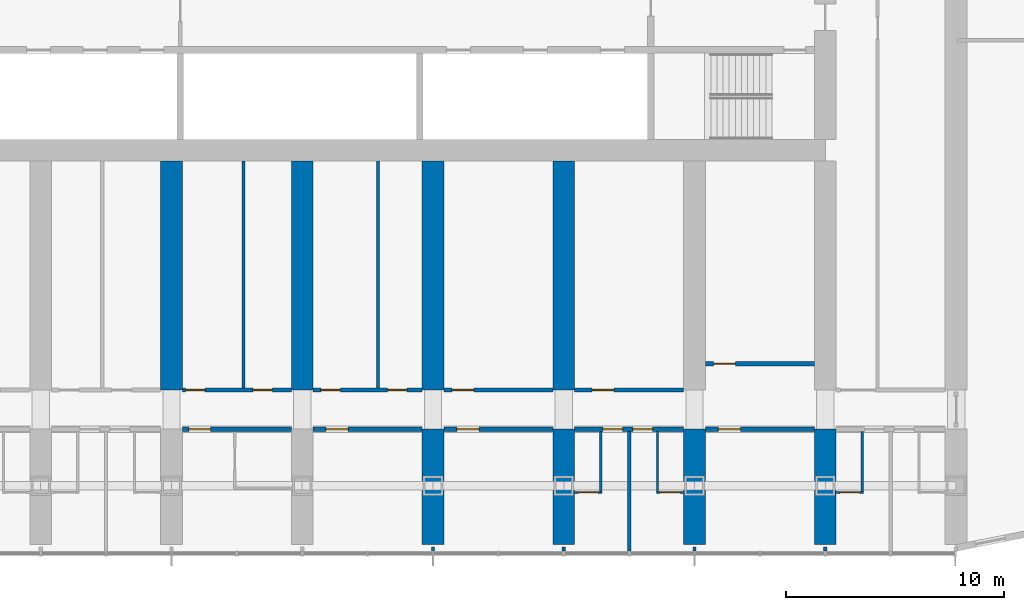
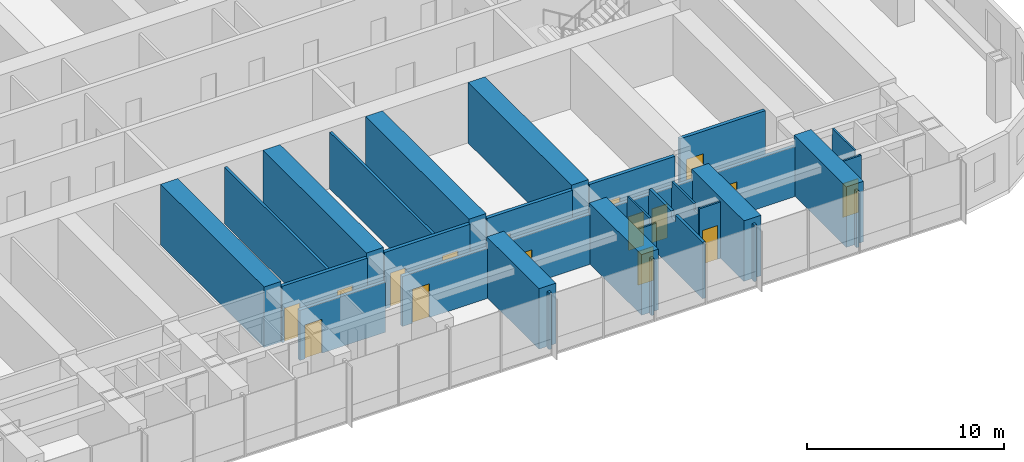
# One storey, part 12 of 23: 31 walls, 16 doors, 16 openings.
"""IFC4 building model written with IfcOpenShell, lengths in metres."""

from ifc_helpers import new_model, si_unit, direction, frame, frame_2d, origin, place, context, subcontext, project, spatial, polyline, rectangle, outline, extrude, material, layer, layer_set, type_object, element, fill, save


model = new_model("IFC4")

# Units and contexts
model_context = context("Model", 3, precision=1e-05, world=origin(), true_north=direction((0.0, 1.0)))
body_context = subcontext(model_context, "Body", "Model", "MODEL_VIEW")
ifc_project = project(units=[si_unit("LENGTHUNIT", "METRE"), si_unit("AREAUNIT", "SQUARE_METRE"), si_unit("VOLUMEUNIT", "CUBIC_METRE"), si_unit("PLANEANGLEUNIT", "RADIAN"), si_unit("MASSUNIT", "GRAM", prefix="KILO")], contexts=[model_context])

# Site, building, storey
site_placement = place(None, origin())
site = spatial("IfcSite", under=ifc_project, at=site_placement, CompositionType="ELEMENT")
building_placement = place(site_placement, origin())
building = spatial("IfcBuilding", under=site, at=building_placement, Name="Orbita Commons", CompositionType="ELEMENT")
storey_placement = place(building_placement, frame((0.0, 0.0, 42.699951171875)))
storey = spatial("IfcBuildingStorey", under=building, at=storey_placement, Name="L10", CompositionType="ELEMENT", Elevation=42.699951171875)

# Wall, opening, door
ifc_material_1 = material(Name="Concrete blockwork", Category="masonry")
ifc_layer_1 = layer(ifc_material_1, 0.199951171875)
ifc_layer_set_1 = layer_set([ifc_layer_1], Name="Concrete blockwork")
wall_type_1 = type_object("IfcWallType", Name="Corridor wall 200 blockwork", PredefinedType="SOLIDWALL", material=ifc_layer_set_1)
wall_1_placement = place(storey_placement, frame((36.5, 13.0, 0.0), z_axis=(0.0, 0.0, 1.0), x_axis=(1.0, 0.0, 0.0)))
wall_1 = element("IfcWall", 1, at=wall_1_placement, inside=storey, type_object=wall_type_1, Name="Corridor wall 200 blockwork L10", PredefinedType="SOLIDWALL", context=body_context, shape_type="SweptSolid", body=[
    extrude(outline(polyline([(0.0, 0.0), (5.0, 0.0), (5.0, 3.10009765625), (0.0, 3.10009765625), (0.0, 0.0)])), frame((0.0, 0.10009765625, 0.0), z_axis=(0.0, -1.0, 0.0), x_axis=(1.0, 0.0, 0.0)), (0.0, 0.0, 1.0), 0.199951171875),
])
opening_1_placement = place(wall_1_placement, frame((0.300048828125, 0.0, 0.0)))
opening_1 = element("IfcOpeningElement", 2, at=opening_1_placement, cuts=wall_1, Name="Opening D06", PredefinedType="OPENING", context=body_context, shape_type="SweptSolid", body=[
    extrude(rectangle(XDim=1.0, YDim=2.10009765625, at=frame_2d((0.5, 1.050048828125))), frame((0.0, 0.10986328125, 0.0), z_axis=(0.0, -1.0, 0.0), x_axis=(1.0, 0.0, 0.0)), (0.0, 0.0, 1.0), 0.219970703125),
])
ifc_material_2 = material(Name="Steel-faced fire door leaf", Category="steel")
door_type_1 = type_object("IfcDoorType", Name="Corridor door 20 min 1000x2100", OperationType="SINGLE_SWING_LEFT", PredefinedType="DOOR", material=ifc_material_2)
door_1_placement = place(opening_1_placement, origin())
door_1 = element("IfcDoor", 3, at=door_1_placement, inside=storey, type_object=door_type_1, Name="Accessible bedroom L10-S08 door", OperationType="SINGLE_SWING_LEFT", OverallHeight=2.10009765625, OverallWidth=1.0, PredefinedType="DOOR", context=body_context, shape_type="SweptSolid", body=[
    extrude(rectangle(XDim=1.0, YDim=2.10009765625, at=frame_2d((0.5, 1.050048828125))), frame((0.0, 0.02490234375, 0.0), z_axis=(0.0, -1.0, 0.0), x_axis=(1.0, 0.0, 0.0)), (0.0, 0.0, 1.0), 0.050048828125),
])
fill(opening_1, door_1)

wall_2_placement = place(storey_placement, frame((42.5, 13.0, 0.0), z_axis=(0.0, 0.0, 1.0), x_axis=(1.0, 0.0, 0.0)))
wall_2 = element("IfcWall", 4, at=wall_2_placement, inside=storey, type_object=wall_type_1, Name="Corridor wall 200 blockwork L10", PredefinedType="SOLIDWALL", context=body_context, shape_type="SweptSolid", body=[
    extrude(outline(polyline([(0.0, 0.0), (5.0, 0.0), (5.0, 3.10009765625), (0.0, 3.10009765625), (0.0, 0.0)])), frame((0.0, 0.10009765625, 0.0), z_axis=(0.0, -1.0, 0.0), x_axis=(1.0, 0.0, 0.0)), (0.0, 0.0, 1.0), 0.199951171875),
])
opening_2_placement = place(wall_2_placement, frame((0.60009765625, 0.0, 0.0)))
opening_2 = element("IfcOpeningElement", 5, at=opening_2_placement, cuts=wall_2, Name="Opening D06", PredefinedType="OPENING", context=body_context, shape_type="SweptSolid", body=[
    extrude(rectangle(XDim=1.0, YDim=2.10009765625, at=frame_2d((0.5, 1.050048828125))), frame((0.0, 0.10986328125, 0.0), z_axis=(0.0, -1.0, 0.0), x_axis=(1.0, 0.0, 0.0)), (0.0, 0.0, 1.0), 0.219970703125),
])
door_2_placement = place(opening_2_placement, origin())
door_2 = element("IfcDoor", 6, at=door_2_placement, inside=storey, type_object=door_type_1, Name="House study room L10-S10 door", OperationType="SINGLE_SWING_LEFT", OverallHeight=2.10009765625, OverallWidth=1.0, PredefinedType="DOOR", context=body_context, shape_type="SweptSolid", body=[
    extrude(rectangle(XDim=1.0, YDim=2.10009765625, at=frame_2d((0.5, 1.050048828125))), frame((0.0, 0.02490234375, 0.0), z_axis=(0.0, -1.0, 0.0), x_axis=(1.0, 0.0, 0.0)), (0.0, 0.0, 1.0), 0.050048828125),
])
fill(opening_2, door_2)

wall_3_placement = place(storey_placement, frame((48.5, 13.0, 0.0), z_axis=(0.0, 0.0, 1.0), x_axis=(1.0, 0.0, 0.0)))
wall_3 = element("IfcWall", 7, at=wall_3_placement, inside=storey, type_object=wall_type_1, Name="Corridor wall 200 blockwork L10", PredefinedType="SOLIDWALL", context=body_context, shape_type="SweptSolid", body=[
    extrude(outline(polyline([(0.0, 0.0), (5.0, 0.0), (5.0, 3.10009765625), (0.0, 3.10009765625), (0.0, 0.0)])), frame((0.0, 0.10009765625, 0.0), z_axis=(0.0, -1.0, 0.0), x_axis=(1.0, 0.0, 0.0)), (0.0, 0.0, 1.0), 0.199951171875),
])
opening_3_placement = place(wall_3_placement, frame((0.60009765625, 0.0, 0.0)))
opening_3 = element("IfcOpeningElement", 8, at=opening_3_placement, cuts=wall_3, Name="Opening D06", PredefinedType="OPENING", context=body_context, shape_type="SweptSolid", body=[
    extrude(rectangle(XDim=1.0, YDim=2.10009765625, at=frame_2d((0.5, 1.050048828125))), frame((0.0, 0.10986328125, 0.0), z_axis=(0.0, -1.0, 0.0), x_axis=(1.0, 0.0, 0.0)), (0.0, 0.0, 1.0), 0.219970703125),
])
door_3_placement = place(opening_3_placement, origin())
door_3 = element("IfcDoor", 9, at=door_3_placement, inside=storey, type_object=door_type_1, Name="House kitchen-diner L10-S12 door", OperationType="SINGLE_SWING_LEFT", OverallHeight=2.10009765625, OverallWidth=1.0, PredefinedType="DOOR", context=body_context, shape_type="SweptSolid", body=[
    extrude(rectangle(XDim=1.0, YDim=2.10009765625, at=frame_2d((0.5, 1.050048828125))), frame((0.0, 0.02490234375, 0.0), z_axis=(0.0, -1.0, 0.0), x_axis=(1.0, 0.0, 0.0)), (0.0, 0.0, 1.0), 0.050048828125),
])
fill(opening_3, door_3)

# Wall, openings, doors
wall_4_placement = place(storey_placement, frame((54.5, 13.0, 0.0), z_axis=(0.0, 0.0, 1.0), x_axis=(1.0, 0.0, 0.0)))
wall_4 = element("IfcWall", 10, at=wall_4_placement, inside=storey, type_object=wall_type_1, Name="Corridor wall 200 blockwork L10", PredefinedType="SOLIDWALL", context=body_context, shape_type="SweptSolid", body=[
    extrude(outline(polyline([(0.0, 0.0), (5.0, 0.0), (5.0, 3.10009765625), (0.0, 3.10009765625), (0.0, 0.0)])), frame((0.0, 0.10009765625, 0.0), z_axis=(0.0, -1.0, 0.0), x_axis=(1.0, 0.0, 0.0)), (0.0, 0.0, 1.0), 0.199951171875),
])
opening_4_placement = place(wall_4_placement, frame((1.300048828125, 0.0, 0.0)))
opening_4 = element("IfcOpeningElement", 11, at=opening_4_placement, cuts=wall_4, Name="Opening D11", PredefinedType="OPENING", context=body_context, shape_type="SweptSolid", body=[
    extrude(rectangle(XDim=0.89990234375, YDim=2.10009765625, at=frame_2d((0.449951171875, 1.050048828125))), frame((0.0, 0.10986328125, 0.0), z_axis=(0.0, -1.0, 0.0), x_axis=(1.0, 0.0, 0.0)), (0.0, 0.0, 1.0), 0.219970703125),
])
opening_5_placement = place(wall_4_placement, frame((2.675048828125, 0.0, 0.0)))
opening_5 = element("IfcOpeningElement", 12, at=opening_5_placement, cuts=wall_4, Name="Opening D11", PredefinedType="OPENING", context=body_context, shape_type="SweptSolid", body=[
    extrude(rectangle(XDim=0.89990234375, YDim=2.10009765625, at=frame_2d((0.449951171875, 1.050048828125))), frame((0.0, 0.10986328125, 0.0), z_axis=(0.0, -1.0, 0.0), x_axis=(1.0, 0.0, 0.0)), (0.0, 0.0, 1.0), 0.219970703125),
])
ifc_material_3 = material(Name="Steel-faced fire door leaf", Category="steel")
door_type_2 = type_object("IfcDoorType", Name="Corridor door 20 min 900x2100", OperationType="SINGLE_SWING_LEFT", PredefinedType="DOOR", material=ifc_material_3)
door_4_placement = place(opening_4_placement, origin())
door_4 = element("IfcDoor", 13, at=door_4_placement, inside=storey, type_object=door_type_2, Name="House bedroom L10-S14 door", OperationType="SINGLE_SWING_LEFT", OverallHeight=2.10009765625, OverallWidth=0.89990234375, PredefinedType="DOOR", context=body_context, shape_type="SweptSolid", body=[
    extrude(rectangle(XDim=0.89990234375, YDim=2.10009765625, at=frame_2d((0.449951171875, 1.050048828125))), frame((0.0, 0.02490234375, 0.0), z_axis=(0.0, -1.0, 0.0), x_axis=(1.0, 0.0, 0.0)), (0.0, 0.0, 1.0), 0.050048828125),
])
fill(opening_4, door_4)
door_5_placement = place(opening_5_placement, origin())
door_5 = element("IfcDoor", 14, at=door_5_placement, inside=storey, type_object=door_type_2, Name="House bedroom L10-S15 door", OperationType="SINGLE_SWING_LEFT", OverallHeight=2.10009765625, OverallWidth=0.89990234375, PredefinedType="DOOR", context=body_context, shape_type="SweptSolid", body=[
    extrude(rectangle(XDim=0.89990234375, YDim=2.10009765625, at=frame_2d((0.449951171875, 1.050048828125))), frame((0.0, 0.02490234375, 0.0), z_axis=(0.0, -1.0, 0.0), x_axis=(1.0, 0.0, 0.0)), (0.0, 0.0, 1.0), 0.050048828125),
])
fill(opening_5, door_5)

# Wall, opening, door
wall_5_placement = place(storey_placement, frame((60.5, 13.0, 0.0), z_axis=(0.0, 0.0, 1.0), x_axis=(1.0, 0.0, 0.0)))
wall_5 = element("IfcWall", 15, at=wall_5_placement, inside=storey, type_object=wall_type_1, Name="Corridor wall 200 blockwork L10", PredefinedType="SOLIDWALL", context=body_context, shape_type="SweptSolid", body=[
    extrude(outline(polyline([(0.0, 0.0), (5.0, 0.0), (5.0, 3.10009765625), (0.0, 3.10009765625), (0.0, 0.0)])), frame((0.0, 0.10009765625, 0.0), z_axis=(0.0, -1.0, 0.0), x_axis=(1.0, 0.0, 0.0)), (0.0, 0.0, 1.0), 0.199951171875),
])
opening_6_placement = place(wall_5_placement, frame((0.60009765625, 0.0, 0.0)))
opening_6 = element("IfcOpeningElement", 16, at=opening_6_placement, cuts=wall_5, Name="Opening D06", PredefinedType="OPENING", context=body_context, shape_type="SweptSolid", body=[
    extrude(rectangle(XDim=1.0, YDim=2.10009765625, at=frame_2d((0.5, 1.050048828125))), frame((0.0, 0.10986328125, 0.0), z_axis=(0.0, -1.0, 0.0), x_axis=(1.0, 0.0, 0.0)), (0.0, 0.0, 1.0), 0.219970703125),
])
door_6_placement = place(opening_6_placement, origin())
door_6 = element("IfcDoor", 17, at=door_6_placement, inside=storey, type_object=door_type_1, Name="House common room L10-S16 door", OperationType="SINGLE_SWING_LEFT", OverallHeight=2.10009765625, OverallWidth=1.0, PredefinedType="DOOR", context=body_context, shape_type="SweptSolid", body=[
    extrude(rectangle(XDim=1.0, YDim=2.10009765625, at=frame_2d((0.5, 1.050048828125))), frame((0.0, 0.02490234375, 0.0), z_axis=(0.0, -1.0, 0.0), x_axis=(1.0, 0.0, 0.0)), (0.0, 0.0, 1.0), 0.050048828125),
])
fill(opening_6, door_6)

# Wall, openings, doors
ifc_material_4 = material(Name="Hollow concrete block 200", Category="concrete")
ifc_layer_2 = layer(ifc_material_4, 0.199951171875)
ifc_layer_set_2 = layer_set([ifc_layer_2], Name="Hollow concrete block 200")
wall_type_2 = type_object("IfcWallType", Name="Corridor wall 200 hollow concrete block", PredefinedType="SOLIDWALL", material=ifc_layer_set_2)
wall_6_placement = place(storey_placement, frame((36.5, 14.800048828125, 0.0), z_axis=(0.0, 0.0, 1.0), x_axis=(1.0, 0.0, 0.0)))
wall_6 = element("IfcWall", 18, at=wall_6_placement, inside=storey, type_object=wall_type_2, Name="Corridor wall 200 hollow concrete block L10", PredefinedType="SOLIDWALL", context=body_context, shape_type="SweptSolid", body=[
    extrude(rectangle(XDim=5.0, YDim=0.199951171875, at=frame_2d((2.5, 0.0))), origin(), (0.0, 0.0, 1.0), 3.5),
])
opening_7_placement = place(wall_6_placement, frame((0.14990234375, 0.0, 0.0)))
opening_7 = element("IfcOpeningElement", 19, at=opening_7_placement, cuts=wall_6, Name="Opening D11", PredefinedType="OPENING", context=body_context, shape_type="SweptSolid", body=[
    extrude(rectangle(XDim=0.89990234375, YDim=2.10009765625, at=frame_2d((0.449951171875, 1.050048828125))), frame((0.0, 0.10986328125, 0.0), z_axis=(0.0, -1.0, 0.0), x_axis=(1.0, 0.0, 0.0)), (0.0, 0.0, 1.0), 0.219970703125),
])
opening_8_placement = place(wall_6_placement, frame((3.235107421875, 0.0, 0.0)))
opening_8 = element("IfcOpeningElement", 20, at=opening_8_placement, cuts=wall_6, Name="Opening D11", PredefinedType="OPENING", context=body_context, shape_type="SweptSolid", body=[
    extrude(rectangle(XDim=0.89990234375, YDim=2.10009765625, at=frame_2d((0.449951171875, 1.050048828125))), frame((0.0, 0.10986328125, 0.0), z_axis=(0.0, -1.0, 0.0), x_axis=(1.0, 0.0, 0.0)), (0.0, 0.0, 1.0), 0.219970703125),
])
door_7_placement = place(opening_7_placement, origin())
door_7 = element("IfcDoor", 21, at=door_7_placement, inside=storey, type_object=door_type_2, Name="Group meeting room L10-BDS36 door", OperationType="SINGLE_SWING_LEFT", OverallHeight=2.10009765625, OverallWidth=0.89990234375, PredefinedType="DOOR", context=body_context, shape_type="SweptSolid", body=[
    extrude(rectangle(XDim=0.89990234375, YDim=2.10009765625, at=frame_2d((0.449951171875, 1.050048828125))), frame((0.0, 0.02490234375, 0.0), z_axis=(0.0, -1.0, 0.0), x_axis=(1.0, 0.0, 0.0)), (0.0, 0.0, 1.0), 0.050048828125),
])
fill(opening_7, door_7)
door_8_placement = place(opening_8_placement, origin())
door_8 = element("IfcDoor", 22, at=door_8_placement, inside=storey, type_object=door_type_2, Name="Water heater cupboard L10-BDS36n door", OperationType="SINGLE_SWING_LEFT", OverallHeight=2.10009765625, OverallWidth=0.89990234375, PredefinedType="DOOR", context=body_context, shape_type="SweptSolid", body=[
    extrude(rectangle(XDim=0.89990234375, YDim=2.10009765625, at=frame_2d((0.449951171875, 1.050048828125))), frame((0.0, 0.02490234375, 0.0), z_axis=(0.0, -1.0, 0.0), x_axis=(1.0, 0.0, 0.0)), (0.0, 0.0, 1.0), 0.050048828125),
])
fill(opening_8, door_8)

wall_7_placement = place(storey_placement, frame((42.5, 14.800048828125, 0.0), z_axis=(0.0, 0.0, 1.0), x_axis=(1.0, 0.0, 0.0)))
wall_7 = element("IfcWall", 23, at=wall_7_placement, inside=storey, type_object=wall_type_2, Name="Corridor wall 200 hollow concrete block L10", PredefinedType="SOLIDWALL", context=body_context, shape_type="SweptSolid", body=[
    extrude(rectangle(XDim=5.0, YDim=0.199951171875, at=frame_2d((2.5, 0.0))), origin(), (0.0, 0.0, 1.0), 3.5),
])
opening_9_placement = place(wall_7_placement, frame((0.35009765625, 0.0, 0.0)))
opening_9 = element("IfcOpeningElement", 24, at=opening_9_placement, cuts=wall_7, Name="Opening D11", PredefinedType="OPENING", context=body_context, shape_type="SweptSolid", body=[
    extrude(rectangle(XDim=0.89990234375, YDim=2.10009765625, at=frame_2d((0.449951171875, 1.050048828125))), frame((0.0, 0.10986328125, 0.0), z_axis=(0.0, -1.0, 0.0), x_axis=(1.0, 0.0, 0.0)), (0.0, 0.0, 1.0), 0.219970703125),
])
opening_10_placement = place(wall_7_placement, frame((3.405029296875, 0.0, 0.0)))
opening_10 = element("IfcOpeningElement", 25, at=opening_10_placement, cuts=wall_7, Name="Opening D11", PredefinedType="OPENING", context=body_context, shape_type="SweptSolid", body=[
    extrude(rectangle(XDim=0.89990234375, YDim=2.10009765625, at=frame_2d((0.449951171875, 1.050048828125))), frame((0.0, 0.10986328125, 0.0), z_axis=(0.0, -1.0, 0.0), x_axis=(1.0, 0.0, 0.0)), (0.0, 0.0, 1.0), 0.219970703125),
])
door_9_placement = place(opening_9_placement, origin())
door_9 = element("IfcDoor", 26, at=door_9_placement, inside=storey, type_object=door_type_2, Name="Equipment store L10-BDS42n door", OperationType="SINGLE_SWING_LEFT", OverallHeight=2.10009765625, OverallWidth=0.89990234375, PredefinedType="DOOR", context=body_context, shape_type="SweptSolid", body=[
    extrude(rectangle(XDim=0.89990234375, YDim=2.10009765625, at=frame_2d((0.449951171875, 1.050048828125))), frame((0.0, 0.02490234375, 0.0), z_axis=(0.0, -1.0, 0.0), x_axis=(1.0, 0.0, 0.0)), (0.0, 0.0, 1.0), 0.050048828125),
])
fill(opening_9, door_9)
door_10_placement = place(opening_10_placement, origin())
door_10 = element("IfcDoor", 27, at=door_10_placement, inside=storey, type_object=door_type_2, Name="Linen store L10-BDS42 door", OperationType="SINGLE_SWING_LEFT", OverallHeight=2.10009765625, OverallWidth=0.89990234375, PredefinedType="DOOR", context=body_context, shape_type="SweptSolid", body=[
    extrude(rectangle(XDim=0.89990234375, YDim=2.10009765625, at=frame_2d((0.449951171875, 1.050048828125))), frame((0.0, 0.02490234375, 0.0), z_axis=(0.0, -1.0, 0.0), x_axis=(1.0, 0.0, 0.0)), (0.0, 0.0, 1.0), 0.050048828125),
])
fill(opening_10, door_10)

# Wall, opening, door
wall_8_placement = place(storey_placement, frame((48.5, 14.800048828125, 0.0), z_axis=(0.0, 0.0, 1.0), x_axis=(1.0, 0.0, 0.0)))
wall_8 = element("IfcWall", 28, at=wall_8_placement, inside=storey, type_object=wall_type_2, Name="Corridor wall 200 hollow concrete block L10", PredefinedType="SOLIDWALL", context=body_context, shape_type="SweptSolid", body=[
    extrude(rectangle(XDim=5.0, YDim=0.199951171875, at=frame_2d((2.5, 0.0))), origin(), (0.0, 0.0, 1.0), 3.5),
])
opening_11_placement = place(wall_8_placement, frame((0.375, 0.0, 0.0)))
opening_11 = element("IfcOpeningElement", 29, at=opening_11_placement, cuts=wall_8, Name="Opening D06", PredefinedType="OPENING", context=body_context, shape_type="SweptSolid", body=[
    extrude(rectangle(XDim=1.0, YDim=2.10009765625, at=frame_2d((0.5, 1.050048828125))), frame((0.0, 0.10986328125, 0.0), z_axis=(0.0, -1.0, 0.0), x_axis=(1.0, 0.0, 0.0)), (0.0, 0.0, 1.0), 0.219970703125),
])
door_11_placement = place(opening_11_placement, origin())
door_11 = element("IfcDoor", 30, at=door_11_placement, inside=storey, type_object=door_type_1, Name="Drying room L10-BDS48 door", OperationType="SINGLE_SWING_LEFT", OverallHeight=2.10009765625, OverallWidth=1.0, PredefinedType="DOOR", context=body_context, shape_type="SweptSolid", body=[
    extrude(rectangle(XDim=1.0, YDim=2.10009765625, at=frame_2d((0.5, 1.050048828125))), frame((0.0, 0.02490234375, 0.0), z_axis=(0.0, -1.0, 0.0), x_axis=(1.0, 0.0, 0.0)), (0.0, 0.0, 1.0), 0.050048828125),
])
fill(opening_11, door_11)

wall_9_placement = place(storey_placement, frame((54.5, 14.800048828125, 0.0), z_axis=(0.0, 0.0, 1.0), x_axis=(1.0, 0.0, 0.0)))
wall_9 = element("IfcWall", 31, at=wall_9_placement, inside=storey, type_object=wall_type_2, Name="Corridor wall 200 hollow concrete block L10", PredefinedType="SOLIDWALL", context=body_context, shape_type="SweptSolid", body=[
    extrude(rectangle(XDim=5.0, YDim=0.199951171875, at=frame_2d((2.5, 0.0))), origin(), (0.0, 0.0, 1.0), 3.5),
])
opening_12_placement = place(wall_9_placement, frame((0.800048828125, 0.0, 0.0)))
opening_12 = element("IfcOpeningElement", 32, at=opening_12_placement, cuts=wall_9, Name="Opening D06", PredefinedType="OPENING", context=body_context, shape_type="SweptSolid", body=[
    extrude(rectangle(XDim=1.0, YDim=2.10009765625, at=frame_2d((0.5, 1.050048828125))), frame((0.0, 0.10986328125, 0.0), z_axis=(0.0, -1.0, 0.0), x_axis=(1.0, 0.0, 0.0)), (0.0, 0.0, 1.0), 0.219970703125),
])
door_12_placement = place(opening_12_placement, origin())
door_12 = element("IfcDoor", 33, at=door_12_placement, inside=storey, type_object=door_type_1, Name="Ventilation plant room north L10-BDS54 door", OperationType="SINGLE_SWING_LEFT", OverallHeight=2.10009765625, OverallWidth=1.0, PredefinedType="DOOR", context=body_context, shape_type="SweptSolid", body=[
    extrude(rectangle(XDim=1.0, YDim=2.10009765625, at=frame_2d((0.5, 1.050048828125))), frame((0.0, 0.02490234375, 0.0), z_axis=(0.0, -1.0, 0.0), x_axis=(1.0, 0.0, 0.0)), (0.0, 0.0, 1.0), 0.050048828125),
])
fill(opening_12, door_12)

wall_10_placement = place(storey_placement, frame((60.5, 16.0, 0.0), z_axis=(0.0, 0.0, 1.0), x_axis=(1.0, 0.0, 0.0)))
wall_10 = element("IfcWall", 34, at=wall_10_placement, inside=storey, type_object=wall_type_2, Name="Corridor wall 200 hollow concrete block L10", PredefinedType="SOLIDWALL", context=body_context, shape_type="SweptSolid", body=[
    extrude(rectangle(XDim=5.0, YDim=0.199951171875, at=frame_2d((2.5, 0.0))), origin(), (0.0, 0.0, 1.0), 3.5),
])
opening_13_placement = place(wall_10_placement, frame((0.375, 0.0, 0.0)))
opening_13 = element("IfcOpeningElement", 35, at=opening_13_placement, cuts=wall_10, Name="Opening D06", PredefinedType="OPENING", context=body_context, shape_type="SweptSolid", body=[
    extrude(rectangle(XDim=1.0, YDim=2.10009765625, at=frame_2d((0.5, 1.050048828125))), frame((0.0, 0.10986328125, 0.0), z_axis=(0.0, -1.0, 0.0), x_axis=(1.0, 0.0, 0.0)), (0.0, 0.0, 1.0), 0.219970703125),
])
door_13_placement = place(opening_13_placement, origin())
door_13 = element("IfcDoor", 36, at=door_13_placement, inside=storey, type_object=door_type_1, Name="Electrical and data room L10-BDS60 door", OperationType="SINGLE_SWING_LEFT", OverallHeight=2.10009765625, OverallWidth=1.0, PredefinedType="DOOR", context=body_context, shape_type="SweptSolid", body=[
    extrude(rectangle(XDim=1.0, YDim=2.10009765625, at=frame_2d((0.5, 1.050048828125))), frame((0.0, 0.02490234375, 0.0), z_axis=(0.0, -1.0, 0.0), x_axis=(1.0, 0.0, 0.0)), (0.0, 0.0, 1.0), 0.050048828125),
])
fill(opening_13, door_13)

# Walls
ifc_material_5 = material(Name="Concrete C50/60", Category="concrete")
ifc_layer_3 = layer(ifc_material_5, 1.0)
ifc_layer_set_3 = layer_set([ifc_layer_3], Name="Concrete C50/60")
wall_type_3 = type_object("IfcWallType", Name="Cross wall 1000 C50/60", PredefinedType="SHEAR", material=ifc_layer_set_3)
for number, where, z_axis, x_axis, name in (
    (37, (36.0, 14.800048828125, 0.0), (0.0, 0.0, 1.0), (0.0, 1.0, 0.0), "Cross wall 7 south inner L10"),
    (38, (42.0, 14.800048828125, 0.0), (0.0, 0.0, 1.0), (0.0, 1.0, 0.0), "Cross wall 8 south inner L10"),
):
    element("IfcWall", number, at=place(storey_placement, frame(where, z_axis=z_axis, x_axis=x_axis)), inside=storey, type_object=wall_type_3, Name=name, PredefinedType="SHEAR", context=body_context, shape_type="SweptSolid", body=[
        extrude(rectangle(XDim=10.5, YDim=1.0, at=frame_2d((5.25, 0.0))), origin(), (0.0, 0.0, 1.0), 3.75),
    ])
wall_11_placement = place(storey_placement, frame((48.0, 7.699951171875, 0.0), z_axis=(0.0, 0.0, 1.0), x_axis=(0.0, 1.0, 0.0)))
element("IfcWall", 39, at=wall_11_placement, inside=storey, type_object=wall_type_3, Name="Cross wall 9 south outer L10", PredefinedType="SHEAR", context=body_context, shape_type="SweptSolid", body=[
    extrude(rectangle(XDim=5.300048828125, YDim=1.0, at=frame_2d((2.64990234375, 0.0))), origin(), (0.0, 0.0, 1.0), 3.75),
])
wall_12_placement = place(storey_placement, frame((48.0, 14.800048828125, 0.0), z_axis=(0.0, 0.0, 1.0), x_axis=(0.0, 1.0, 0.0)))
element("IfcWall", 40, at=wall_12_placement, inside=storey, type_object=wall_type_3, Name="Cross wall 9 south inner L10", PredefinedType="SHEAR", context=body_context, shape_type="SweptSolid", body=[
    extrude(rectangle(XDim=10.5, YDim=1.0, at=frame_2d((5.25, 0.0))), origin(), (0.0, 0.0, 1.0), 3.75),
])
wall_13_placement = place(storey_placement, frame((54.0, 7.699951171875, 0.0), z_axis=(0.0, 0.0, 1.0), x_axis=(0.0, 1.0, 0.0)))
element("IfcWall", 41, at=wall_13_placement, inside=storey, type_object=wall_type_3, Name="Cross wall 10 south outer L10", PredefinedType="SHEAR", context=body_context, shape_type="SweptSolid", body=[
    extrude(rectangle(XDim=5.300048828125, YDim=1.0, at=frame_2d((2.64990234375, 0.0))), origin(), (0.0, 0.0, 1.0), 3.75),
])
wall_14_placement = place(storey_placement, frame((54.0, 14.800048828125, 0.0), z_axis=(0.0, 0.0, 1.0), x_axis=(0.0, 1.0, 0.0)))
element("IfcWall", 42, at=wall_14_placement, inside=storey, type_object=wall_type_3, Name="Cross wall 10 south inner L10", PredefinedType="SHEAR", context=body_context, shape_type="SweptSolid", body=[
    extrude(rectangle(XDim=10.5, YDim=1.0, at=frame_2d((5.25, 0.0))), origin(), (0.0, 0.0, 1.0), 3.75),
])
for number, where, z_axis, x_axis, name in (
    (43, (60.0, 7.699951171875, 0.0), (0.0, 0.0, 1.0), (0.0, 1.0, 0.0), "Cross wall 11 south outer L10"),
    (44, (66.0, 7.699951171875, 0.0), (0.0, 0.0, 1.0), (0.0, 1.0, 0.0), "Cross wall 12 south outer L10"),
):
    element("IfcWall", number, at=place(storey_placement, frame(where, z_axis=z_axis, x_axis=x_axis)), inside=storey, type_object=wall_type_3, Name=name, PredefinedType="SHEAR", context=body_context, shape_type="SweptSolid", body=[
        extrude(rectangle(XDim=5.300048828125, YDim=1.0, at=frame_2d((2.64990234375, 0.0))), origin(), (0.0, 0.0, 1.0), 3.75),
    ])

# Wall, opening, door
ifc_material_6 = material(Name="Moisture-resistant plasterboard on steel studs", Category="steel")
ifc_layer_4 = layer(ifc_material_6, 0.10009765625)
ifc_layer_set_4 = layer_set([ifc_layer_4], Name="Moisture-resistant plasterboard on steel studs")
wall_type_4 = type_object("IfcWallType", Name="En-suite partition 100", PredefinedType="PARTITIONING", material=ifc_layer_set_4)
wall_15_placement = place(storey_placement, frame((55.75, 10.10009765625, 0.0), z_axis=(0.0, 0.0, 1.0), x_axis=(-1.0, 0.0, 0.0)))
wall_15 = element("IfcWall", 45, at=wall_15_placement, inside=storey, type_object=wall_type_4, Name="En-suite partition 100 L10", PredefinedType="PARTITIONING", context=body_context, shape_type="SweptSolid", body=[
    extrude(rectangle(XDim=1.300048828125, YDim=0.10009765625, at=frame_2d((0.64990234375, 0.0))), origin(), (0.0, 0.0, 1.0), 3.5),
])
opening_14_placement = place(wall_15_placement, frame((0.175048828125, 0.0, 0.0)))
opening_14 = element("IfcOpeningElement", 46, at=opening_14_placement, cuts=wall_15, Name="Opening D09", PredefinedType="OPENING", context=body_context, shape_type="SweptSolid", body=[
    extrude(rectangle(XDim=0.89990234375, YDim=2.10009765625, at=frame_2d((0.449951171875, 1.050048828125))), frame((0.0, 0.06005859375, 0.0), z_axis=(0.0, -1.0, 0.0), x_axis=(1.0, 0.0, 0.0)), (0.0, 0.0, 1.0), 0.1201171875),
])
ifc_material_7 = material(Name="Laminated timber door leaf", Category="wood")
door_type_3 = type_object("IfcDoorType", Name="En-suite door 900x2100", OperationType="SINGLE_SWING_RIGHT", PredefinedType="DOOR", material=ifc_material_7)
door_14_placement = place(opening_14_placement, origin())
door_14 = element("IfcDoor", 47, at=door_14_placement, inside=storey, type_object=door_type_3, Name="En-suite L10-S14 door", OperationType="SINGLE_SWING_RIGHT", OverallHeight=2.10009765625, OverallWidth=0.89990234375, PredefinedType="DOOR", context=body_context, shape_type="SweptSolid", body=[
    extrude(rectangle(XDim=0.89990234375, YDim=2.10009765625, at=frame_2d((0.449951171875, 1.050048828125))), frame((0.0, 0.02490234375, 0.0), z_axis=(0.0, -1.0, 0.0), x_axis=(1.0, 0.0, 0.0)), (0.0, 0.0, 1.0), 0.050048828125),
])
fill(opening_14, door_14)

# Wall
wall_16_placement = place(storey_placement, frame((55.699951171875, 10.14990234375, 0.0), z_axis=(0.0, 0.0, 1.0), x_axis=(0.0, 1.0, 0.0)))
element("IfcWall", 48, at=wall_16_placement, inside=storey, type_object=wall_type_4, Name="En-suite partition 100 L10", PredefinedType="PARTITIONING", context=body_context, shape_type="SweptSolid", body=[
    extrude(outline(polyline([(0.0, 0.0), (2.75, 0.0), (2.75, 3.10009765625), (2.701904296875, 3.10009765625), (2.699951171875, 3.5), (0.451904296875, 3.5), (0.449951171875, 3.10009765625), (0.052001953125, 3.10009765625), (0.050048828125, 3.5), (0.0, 3.5), (0.0, 0.0)])), frame((0.0, 0.050048828125, 0.0), z_axis=(0.0, -1.0, 0.0), x_axis=(1.0, 0.0, 0.0)), (0.0, 0.0, 1.0), 0.10009765625),
])

# Wall, opening, door
wall_17_placement = place(storey_placement, frame((59.550048828125, 10.10009765625, 0.0), z_axis=(0.0, 0.0, 1.0), x_axis=(-1.0, 0.0, 0.0)))
wall_17 = element("IfcWall", 49, at=wall_17_placement, inside=storey, type_object=wall_type_4, Name="En-suite partition 100 L10", PredefinedType="PARTITIONING", context=body_context, shape_type="SweptSolid", body=[
    extrude(rectangle(XDim=1.300048828125, YDim=0.10009765625, at=frame_2d((0.64990234375, 0.0))), origin(), (0.0, 0.0, 1.0), 3.5),
])
opening_15_placement = place(wall_17_placement, frame((0.22509765625, 0.0, 0.0)))
opening_15 = element("IfcOpeningElement", 50, at=opening_15_placement, cuts=wall_17, Name="Opening D09", PredefinedType="OPENING", context=body_context, shape_type="SweptSolid", body=[
    extrude(rectangle(XDim=0.89990234375, YDim=2.10009765625, at=frame_2d((0.449951171875, 1.050048828125))), frame((0.0, 0.06005859375, 0.0), z_axis=(0.0, -1.0, 0.0), x_axis=(1.0, 0.0, 0.0)), (0.0, 0.0, 1.0), 0.1201171875),
])
door_15_placement = place(opening_15_placement, origin())
door_15 = element("IfcDoor", 51, at=door_15_placement, inside=storey, type_object=door_type_3, Name="En-suite L10-S15 door", OperationType="SINGLE_SWING_RIGHT", OverallHeight=2.10009765625, OverallWidth=0.89990234375, PredefinedType="DOOR", context=body_context, shape_type="SweptSolid", body=[
    extrude(rectangle(XDim=0.89990234375, YDim=2.10009765625, at=frame_2d((0.449951171875, 1.050048828125))), frame((0.0, 0.02490234375, 0.0), z_axis=(0.0, -1.0, 0.0), x_axis=(1.0, 0.0, 0.0)), (0.0, 0.0, 1.0), 0.050048828125),
])
fill(opening_15, door_15)

# Wall
wall_18_placement = place(storey_placement, frame((58.300048828125, 10.14990234375, 0.0), z_axis=(0.0, 0.0, 1.0), x_axis=(0.0, 1.0, 0.0)))
element("IfcWall", 52, at=wall_18_placement, inside=storey, type_object=wall_type_4, Name="En-suite partition 100 L10", PredefinedType="PARTITIONING", context=body_context, shape_type="SweptSolid", body=[
    extrude(outline(polyline([(0.0, 0.0), (2.75, 0.0), (2.75, 3.10009765625), (2.701904296875, 3.10009765625), (2.699951171875, 3.5), (0.451904296875, 3.5), (0.449951171875, 3.10009765625), (0.052001953125, 3.10009765625), (0.050048828125, 3.5), (0.0, 3.5), (0.0, 0.0)])), frame((0.0, 0.050048828125, 0.0), z_axis=(0.0, -1.0, 0.0), x_axis=(1.0, 0.0, 0.0)), (0.0, 0.0, 1.0), 0.10009765625),
])

# Wall, opening, door
wall_19_placement = place(storey_placement, frame((67.75, 10.10009765625, 0.0), z_axis=(0.0, 0.0, 1.0), x_axis=(-1.0, 0.0, 0.0)))
wall_19 = element("IfcWall", 53, at=wall_19_placement, inside=storey, type_object=wall_type_4, Name="En-suite partition 100 L10", PredefinedType="PARTITIONING", context=body_context, shape_type="SweptSolid", body=[
    extrude(rectangle(XDim=1.300048828125, YDim=0.10009765625, at=frame_2d((0.64990234375, 0.0))), origin(), (0.0, 0.0, 1.0), 3.5),
])
opening_16_placement = place(wall_19_placement, frame((0.175048828125, 0.0, 0.0)))
opening_16 = element("IfcOpeningElement", 54, at=opening_16_placement, cuts=wall_19, Name="Opening D09", PredefinedType="OPENING", context=body_context, shape_type="SweptSolid", body=[
    extrude(rectangle(XDim=0.89990234375, YDim=2.10009765625, at=frame_2d((0.449951171875, 1.050048828125))), frame((0.0, 0.06005859375, 0.0), z_axis=(0.0, -1.0, 0.0), x_axis=(1.0, 0.0, 0.0)), (0.0, 0.0, 1.0), 0.1201171875),
])
door_16_placement = place(opening_16_placement, origin())
door_16 = element("IfcDoor", 55, at=door_16_placement, inside=storey, type_object=door_type_3, Name="En-suite L10-S18 door", OperationType="SINGLE_SWING_RIGHT", OverallHeight=2.10009765625, OverallWidth=0.89990234375, PredefinedType="DOOR", context=body_context, shape_type="SweptSolid", body=[
    extrude(rectangle(XDim=0.89990234375, YDim=2.10009765625, at=frame_2d((0.449951171875, 1.050048828125))), frame((0.0, 0.02490234375, 0.0), z_axis=(0.0, -1.0, 0.0), x_axis=(1.0, 0.0, 0.0)), (0.0, 0.0, 1.0), 0.050048828125),
])
fill(opening_16, door_16)

# Walls
wall_20_placement = place(storey_placement, frame((67.699951171875, 10.14990234375, 0.0), z_axis=(0.0, 0.0, 1.0), x_axis=(0.0, 1.0, 0.0)))
element("IfcWall", 56, at=wall_20_placement, inside=storey, type_object=wall_type_4, Name="En-suite partition 100 L10", PredefinedType="PARTITIONING", context=body_context, shape_type="SweptSolid", body=[
    extrude(outline(polyline([(0.0, 0.0), (2.75, 0.0), (2.75, 3.10009765625), (2.701904296875, 3.10009765625), (2.699951171875, 3.5), (0.451904296875, 3.5), (0.449951171875, 3.10009765625), (0.052001953125, 3.10009765625), (0.050048828125, 3.5), (0.0, 3.5), (0.0, 0.0)])), frame((0.0, 0.050048828125, 0.0), z_axis=(0.0, -1.0, 0.0), x_axis=(1.0, 0.0, 0.0)), (0.0, 0.0, 1.0), 0.10009765625),
])
ifc_material_8 = material(Name="Gypsum plasterboard on steel studs", Category="steel")
ifc_layer_5 = layer(ifc_material_8, 0.14990234375)
ifc_layer_set_5 = layer_set([ifc_layer_5], Name="Gypsum plasterboard on steel studs")
wall_type_5 = type_object("IfcWallType", Name="Partition 150 plasterboard", PredefinedType="PARTITIONING", material=ifc_layer_set_5)
for number, where, z_axis, x_axis, name in (
    (57, (39.31005859375, 14.89990234375, 0.0), (0.0, 0.0, 1.0), (0.0, 1.0, 0.0), "Partition 150 plasterboard L10"),
    (58, (45.47998046875, 14.89990234375, 0.0), (0.0, 0.0, 1.0), (0.0, 1.0, 0.0), "Partition 150 plasterboard L10"),
):
    element("IfcWall", number, at=place(storey_placement, frame(where, z_axis=z_axis, x_axis=x_axis)), inside=storey, type_object=wall_type_5, Name=name, PredefinedType="PARTITIONING", context=body_context, shape_type="SweptSolid", body=[
        extrude(rectangle(XDim=10.400146484375, YDim=0.14990234375, at=frame_2d((5.2001953125, 0.0))), origin(), (0.0, 0.0, 1.0), 3.5),
    ])
for number, where, z_axis, x_axis, name in (
    (59, (48.0, 7.60009765625, 0.0), (0.0, 0.0, 1.0), (0.0, -1.0, 0.0), "Partition 150 plasterboard L10"),
    (60, (54.0, 7.60009765625, 0.0), (0.0, 0.0, 1.0), (0.0, -1.0, 0.0), "Partition 150 plasterboard L10"),
    (61, (60.0, 7.60009765625, 0.0), (0.0, 0.0, 1.0), (0.0, -1.0, 0.0), "Partition 150 plasterboard L10"),
    (62, (66.0, 7.60009765625, 0.0), (0.0, 0.0, 1.0), (0.0, -1.0, 0.0), "Partition 150 plasterboard L10"),
):
    element("IfcWall", number, at=place(storey_placement, frame(where, z_axis=z_axis, x_axis=x_axis)), inside=storey, type_object=wall_type_5, Name=name, PredefinedType="PARTITIONING", context=body_context, shape_type="SweptSolid", body=[
        extrude(rectangle(XDim=0.190185546875, YDim=0.14990234375, at=frame_2d((0.09521484375, 0.0))), origin(), (0.0, 0.0, 1.0), 3.5),
    ])
ifc_material_9 = material(Name="Gypsum plasterboard on steel studs", Category="steel")
ifc_layer_6 = layer(ifc_material_9, 0.14990234375)
ifc_layer_set_6 = layer_set([ifc_layer_6], Name="Gypsum plasterboard on steel studs")
wall_type_6 = type_object("IfcWallType", Name="Party wall 150 plasterboard", PredefinedType="PARTITIONING", material=ifc_layer_set_6)
wall_21_placement = place(storey_placement, frame((57.0, 7.409912109375, 0.0), z_axis=(0.0, 0.0, 1.0), x_axis=(0.0, 1.0, 0.0)))
element("IfcWall", 63, at=wall_21_placement, inside=storey, type_object=wall_type_6, Name="Party wall 150 plasterboard L10", PredefinedType="PARTITIONING", context=body_context, shape_type="SweptSolid", body=[
    extrude(outline(polyline([(0.0, 0.0), (5.489990234375, 0.0), (5.489990234375, 3.10009765625), (5.44189453125, 3.10009765625), (5.43994140625, 3.5), (3.19189453125, 3.5), (3.18994140625, 3.10009765625), (2.7919921875, 3.10009765625), (2.7900390625, 3.5), (0.0, 3.5), (0.0, 0.0)])), frame((0.0, 0.074951171875, 0.0), z_axis=(0.0, -1.0, 0.0), x_axis=(1.0, 0.0, 0.0)), (0.0, 0.0, 1.0), 0.14990234375),
])

save(model, "model.ifc")
